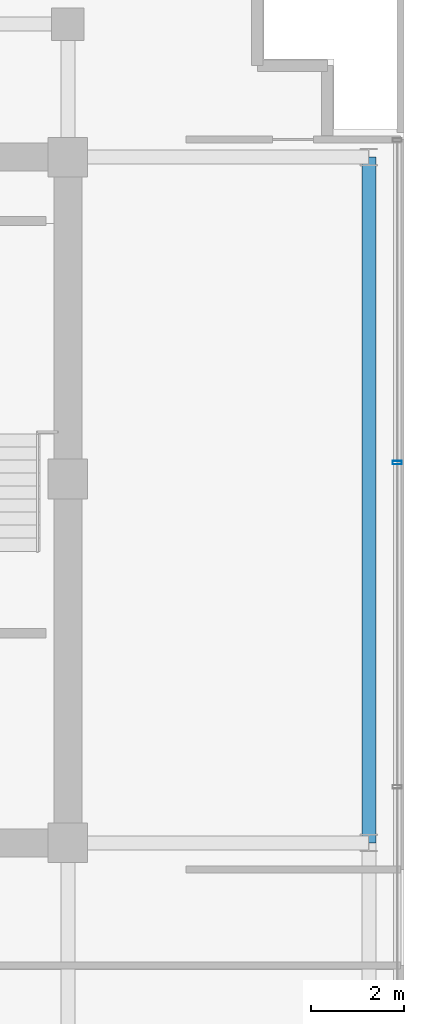
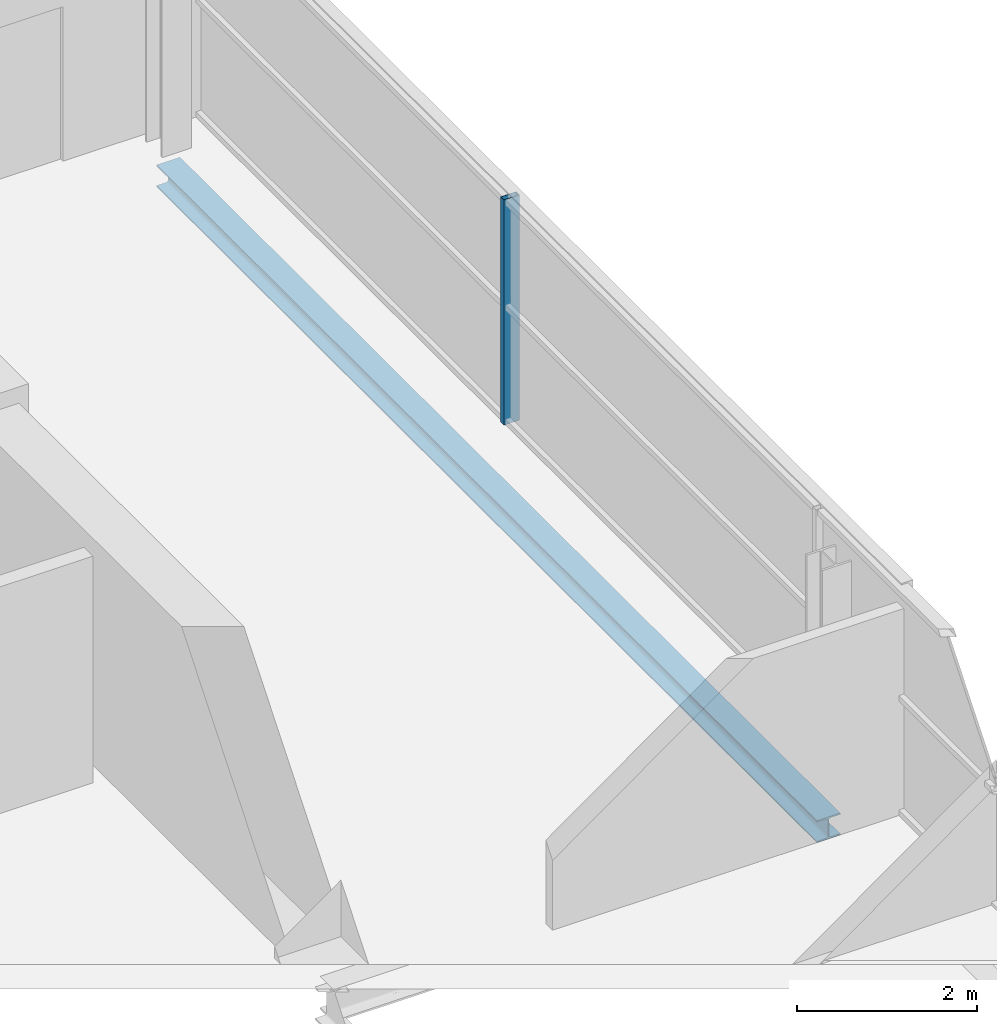
# One storey, part 14 of 28: 1 beam, 1 member, 1 element without a shape of its own.
"""IFC4 building model written with IfcOpenShell, lengths in metres."""

from ifc_helpers import new_model, si_unit, direction, frame, origin, origin_2d, place, context, subcontext, project, spatial, hollow_rectangle, i_section, extrude, source, transform, mapped, material, layer, layer_set, material_profile, profile_set, type_object, element, aggregate, save


model = new_model("IFC4")

# Units and contexts
model_context = context("Model", 3, precision=1e-05, world=origin(), true_north=direction((0.0, 1.0)))
body_context = subcontext(model_context, "Body", "Model", "MODEL_VIEW")
ifc_project = project(units=[si_unit("LENGTHUNIT", "METRE"), si_unit("AREAUNIT", "SQUARE_METRE"), si_unit("VOLUMEUNIT", "CUBIC_METRE"), si_unit("PLANEANGLEUNIT", "RADIAN"), si_unit("MASSUNIT", "GRAM", prefix="KILO")], contexts=[model_context])

# Site, building, storey
site_placement = place(None, origin())
site = spatial("IfcSite", under=ifc_project, at=site_placement, CompositionType="ELEMENT")
building_placement = place(site_placement, origin())
building = spatial("IfcBuilding", under=site, at=building_placement, Name="Zarnakvel Exchange Tower", CompositionType="ELEMENT")
storey_placement = place(building_placement, frame((0.0, 0.0, 268.300048828125)))
storey = spatial("IfcBuildingStorey", under=building, at=storey_placement, Name="L76", CompositionType="ELEMENT", Elevation=268.300048828125)

# Beam
ifc_material_1 = material(Name="Steel S355", Category="steel")
ifc_material_profile_1 = material_profile(ifc_material_1, i_section(OverallWidth=0.300048828125, OverallDepth=0.300048828125, WebThickness=0.010986328125, FlangeThickness=0.01904296875, FilletRadius=0.027099609375, at=origin_2d()))
ifc_profile_set_1 = profile_set([ifc_material_profile_1], Name="Steel S355")
beam_type = type_object("IfcBeamType", Name="SP-03", PredefinedType="SPANDREL", material=ifc_profile_set_1)
beam_placement = place(storey_placement, frame((20.85009765625, -1.199951171875, -0.375), z_axis=(0.0, 1.0, 0.0), x_axis=(-1.0, 0.0, 0.0)))
element("IfcBeam", 1, at=beam_placement, inside=storey, type_object=beam_type, Name="L76 Tower N-S Frame Beam", PredefinedType="SPANDREL", context=body_context, shape_type="SweptSolid", body=[
    extrude(i_section(OverallWidth=0.300048828125, OverallDepth=0.300048828125, WebThickness=0.010986328125, FlangeThickness=0.01904296875, FilletRadius=0.027099609375, at=origin_2d()), origin(), (0.0, 0.0, 1.0), 14.699951171875),
])

# Curtain wall, member
ifc_material_2 = material(Name="Architectural Bronze Anodised Aluminium", Category="aluminium")
ifc_layer = layer(ifc_material_2, 0.199951171875)
ifc_layer_set = layer_set([ifc_layer], Name="Architectural Bronze Anodised Aluminium")
curtain_wall_type = type_object("IfcCurtainWallType", Name="CW-04", PredefinedType="NOTDEFINED", material=ifc_layer_set)
curtain_wall_placement = place(storey_placement, origin())
curtain_wall = element("IfcCurtainWall", 2, at=curtain_wall_placement, inside=storey, type_object=curtain_wall_type, Name="L76 Curtain Wall CW-L76-E1 (CW-04)", PredefinedType="NOTDEFINED")
ifc_material_profile_2 = material_profile(ifc_material_2, hollow_rectangle(XDim=0.199951171875, YDim=0.074951171875, WallThickness=0.0048828125, at=origin_2d()))
ifc_profile_set_2 = profile_set([ifc_material_profile_2], Name="Architectural Bronze Anodised Aluminium")
member_type = type_object("IfcMemberType", Name="CWM-04", PredefinedType="MULLION", material=ifc_profile_set_2)
shared_shape = source(origin(), body_context, "Body", "SweptSolid", [
    extrude(hollow_rectangle(XDim=0.199951171875, YDim=0.074951171875, WallThickness=0.0048828125, at=origin_2d()), origin(), (0.0, 0.0, 1.0), 3.06005859375),
])
member_placement = place(storey_placement, frame((21.4599609375, 6.949951171875, 0.0), z_axis=(0.0, 0.0, 1.0), x_axis=(-1.0, 0.0, 0.0)))
member = element("IfcMember", 3, at=member_placement, type_object=member_type, Name="CW-04 mullion 4", PredefinedType="MULLION", context=body_context, shape_type="MappedRepresentation", body=[
    mapped(shared_shape, transform((0.0, 0.0, 0.0), x_axis=(1.0, 0.0, 0.0), y_axis=(0.0, 1.0, 0.0), z_axis=(0.0, 0.0, 1.0), scale=1.0)),
])
aggregate(curtain_wall, [member])

save(model, "model.ifc")
